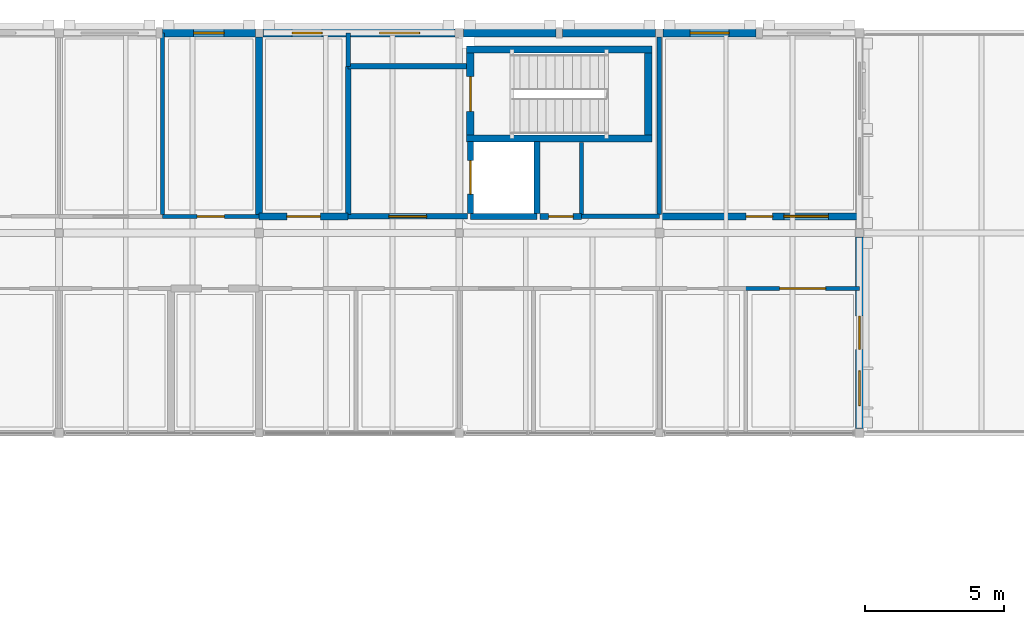
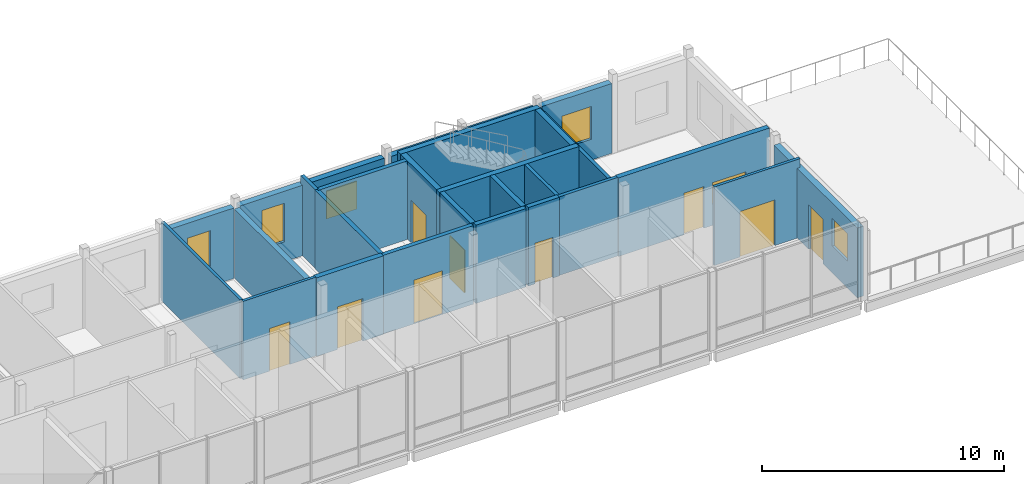
# One storey, part 41 of 57: 27 walls, 9 doors, 6 windows, 15 openings.
"""IFC4 building model written with IfcOpenShell, lengths in metres."""

from ifc_helpers import new_model, si_unit, direction, frame, frame_2d, origin, place, context, subcontext, project, spatial, rectangle, extrude, material, layer, layer_set, type_object, element, fill, save


model = new_model("IFC4")

# Units and contexts
model_context = context("Model", 3, precision=1e-05, world=origin(), true_north=direction((0.0, 1.0)))
body_context = subcontext(model_context, "Body", "Model", "MODEL_VIEW")
ifc_project = project(units=[si_unit("LENGTHUNIT", "METRE"), si_unit("AREAUNIT", "SQUARE_METRE"), si_unit("VOLUMEUNIT", "CUBIC_METRE"), si_unit("PLANEANGLEUNIT", "RADIAN"), si_unit("MASSUNIT", "GRAM", prefix="KILO")], contexts=[model_context])

# Site, building, storey
site_placement = place(None, origin())
site = spatial("IfcSite", under=ifc_project, at=site_placement, CompositionType="ELEMENT")
building_placement = place(site_placement, origin())
building = spatial("IfcBuilding", under=site, at=building_placement, Name="Hawrajan Terrace Health Centre", CompositionType="ELEMENT")
storey_placement = place(building_placement, frame((0.0, 0.0, 13.199951171875)))
storey = spatial("IfcBuildingStorey", under=building, at=storey_placement, Name="L03", CompositionType="ELEMENT", Elevation=13.199951171875)

# Wall
ifc_material_1 = material(Name="Gypsum board on acoustic stud framing")
ifc_layer_1 = layer(ifc_material_1, 0.139892578125)
ifc_layer_set_1 = layer_set([ifc_layer_1], Name="Gypsum board on acoustic stud framing")
wall_type_1 = type_object("IfcWallType", Name="ClinicalAcousticWall_140", PredefinedType="PARTITIONING", material=ifc_layer_set_1)
wall_1_placement = place(storey_placement, frame((37.1220703125, 53.27001953125, 0.0), z_axis=(0.0, 0.0, 1.0), x_axis=(0.0, 1.0, 0.0)))
element("IfcWall", 1, at=wall_1_placement, inside=storey, type_object=wall_type_1, Name="Interior wall IW-L03-1323", PredefinedType="PARTITIONING", context=body_context, shape_type="SweptSolid", body=[
    extrude(rectangle(XDim=6.530029296875, YDim=0.139892578125, at=frame_2d((3.26513671875, 0.0))), origin(), (0.0, 0.0, 1.0), 3.9599609375),
])

# Wall, opening, door
wall_2_placement = place(storey_placement, frame((37.1220703125, 53.199951171875, 0.0), z_axis=(0.0, 0.0, 1.0), x_axis=(1.0, 0.0, 0.0)))
wall_2 = element("IfcWall", 2, at=wall_2_placement, inside=storey, type_object=wall_type_1, Name="Interior wall IW-L03-1324", PredefinedType="PARTITIONING", context=body_context, shape_type="SweptSolid", body=[
    extrude(rectangle(XDim=3.47802734375, YDim=0.139892578125, at=frame_2d((1.739013671875, 0.0))), origin(), (0.0, 0.0, 1.0), 3.9599609375),
])
opening_1_placement = place(wall_2_placement, frame((1.2490234375, 0.0, 0.0)))
opening_1 = element("IfcOpeningElement", 3, at=opening_1_placement, cuts=wall_2, Name="Opening D-L03-606", PredefinedType="OPENING", context=body_context, shape_type="SweptSolid", body=[
    extrude(rectangle(XDim=0.97998046875, YDim=2.14990234375, at=frame_2d((0.489990234375, 1.074951171875))), frame((0.0, 0.079833984375, 0.0), z_axis=(0.0, -1.0, 0.0), x_axis=(1.0, 0.0, 0.0)), (0.0, 0.0, 1.0), 0.159912109375),
])
ifc_material_2 = material(Name="Hardwood acoustic clinical door leaf and frame", Category="wood")
door_type_1 = type_object("IfcDoorType", Name="ConsultDoor_980x2150", OperationType="NOTDEFINED", PredefinedType="DOOR", material=ifc_material_2)
door_1_placement = place(opening_1_placement, origin())
door_1 = element("IfcDoor", 4, at=door_1_placement, inside=storey, type_object=door_type_1, Name="Interior door D-L03-606", OperationType="SINGLE_SWING_RIGHT", OverallHeight=2.14990234375, OverallWidth=0.97998046875, PredefinedType="DOOR", context=body_context, shape_type="SweptSolid", body=[
    extrude(rectangle(XDim=0.97998046875, YDim=2.14990234375, at=frame_2d((0.489990234375, 1.074951171875))), frame((0.0, 0.02490234375, 0.0), z_axis=(0.0, -1.0, 0.0), x_axis=(1.0, 0.0, 0.0)), (0.0, 0.0, 1.0), 0.050048828125),
])
fill(opening_1, door_1)

wall_3_placement = place(storey_placement, frame((58.110107421875, 50.60009765625, 0.0), z_axis=(0.0, 0.0, 1.0), x_axis=(1.0, 0.0, 0.0)))
wall_3 = element("IfcWall", 5, at=wall_3_placement, inside=storey, type_object=wall_type_1, Name="Interior wall IW-L03-1353", PredefinedType="PARTITIONING", context=body_context, shape_type="SweptSolid", body=[
    extrude(rectangle(XDim=4.08984375, YDim=0.139892578125, at=frame_2d((2.044921875, 0.0))), origin(), (0.0, 0.0, 1.0), 3.9599609375),
])
opening_2_placement = place(wall_3_placement, frame((1.215087890625, 0.0, 0.0)))
opening_2 = element("IfcOpeningElement", 6, at=opening_2_placement, cuts=wall_3, Name="Opening D-L03-613", PredefinedType="OPENING", context=body_context, shape_type="SweptSolid", body=[
    extrude(rectangle(XDim=1.659912109375, YDim=2.300048828125, at=frame_2d((0.830078125, 1.14990234375))), frame((0.0, 0.079833984375, 0.0), z_axis=(0.0, -1.0, 0.0), x_axis=(1.0, 0.0, 0.0)), (0.0, 0.0, 1.0), 0.159912109375),
])
door_type_2 = type_object("IfcDoorType", Name="RehabGymDoor_1660x2300", OperationType="DOUBLE_DOOR_SINGLE_SWING", PredefinedType="DOOR", material=ifc_material_2)
door_2_placement = place(opening_2_placement, origin())
door_2 = element("IfcDoor", 7, at=door_2_placement, inside=storey, type_object=door_type_2, Name="Interior door D-L03-613", OperationType="DOUBLE_DOOR_SINGLE_SWING", OverallHeight=2.300048828125, OverallWidth=1.659912109375, PredefinedType="DOOR", context=body_context, shape_type="SweptSolid", body=[
    extrude(rectangle(XDim=1.659912109375, YDim=2.300048828125, at=frame_2d((0.830078125, 1.14990234375))), frame((0.0, 0.02490234375, 0.0), z_axis=(0.0, -1.0, 0.0), x_axis=(1.0, 0.0, 0.0)), (0.0, 0.0, 1.0), 0.050048828125),
])
fill(opening_2, door_2)

# Walls
ifc_material_3 = material(Name="Concrete C40/50", Category="concrete")
ifc_layer_2 = layer(ifc_material_3, 0.260009765625)
ifc_layer_set_2 = layer_set([ifc_layer_2], Name="Concrete C40/50")
wall_type_2 = type_object("IfcWallType", Name="CoreShearWall_RC260", PredefinedType="SHEAR", material=ifc_layer_set_2)
for number, where, z_axis, x_axis, name in (
    (8, (48.070068359375, 56.0, 0.0), (0.0, 0.0, 1.0), (1.0, 0.0, 0.0), "Core shear wall SW-C2-L03-S"),
    (9, (48.070068359375, 59.199951171875, 0.0), (0.0, 0.0, 1.0), (1.0, 0.0, 0.0), "Core shear wall SW-C2-L03-N"),
):
    element("IfcWall", number, at=place(storey_placement, frame(where, z_axis=z_axis, x_axis=x_axis)), inside=storey, type_object=wall_type_2, Name=name, PredefinedType="SHEAR", context=body_context, shape_type="SweptSolid", body=[
        extrude(rectangle(XDim=6.659912109375, YDim=0.260009765625, at=frame_2d((3.330078125, 0.0))), origin(), (0.0, 0.0, 1.0), 3.949951171875),
    ])

# Wall, opening, door
wall_4_placement = place(storey_placement, frame((48.199951171875, 56.1298828125, 0.0), z_axis=(0.0, 0.0, 1.0), x_axis=(0.0, 1.0, 0.0)))
wall_4 = element("IfcWall", 10, at=wall_4_placement, inside=storey, type_object=wall_type_2, Name="Core shear wall SW-C2-L03-W", PredefinedType="SHEAR", context=body_context, shape_type="SweptSolid", body=[
    extrude(rectangle(XDim=2.940185546875, YDim=0.260009765625, at=frame_2d((1.47021484375, 0.0))), origin(), (0.0, 0.0, 1.0), 3.949951171875),
])
opening_3_placement = place(wall_4_placement, frame((0.844970703125, 0.0, 0.0)))
opening_3 = element("IfcOpeningElement", 11, at=opening_3_placement, cuts=wall_4, Name="Opening D-L03-566", PredefinedType="OPENING", context=body_context, shape_type="SweptSolid", body=[
    extrude(rectangle(XDim=1.25, YDim=2.14990234375, at=frame_2d((0.625, 1.074951171875))), frame((0.0, 0.139892578125, 0.0), z_axis=(0.0, -1.0, 0.0), x_axis=(1.0, 0.0, 0.0)), (0.0, 0.0, 1.0), 0.280029296875),
])
ifc_material_4 = material(Name="Timber-veneered acoustic fire-resisting door assembly", Category="wood")
door_type_3 = type_object("IfcDoorType", Name="CoreStairDoor_1250x2150", OperationType="NOTDEFINED", PredefinedType="DOOR", material=ifc_material_4)
door_3_placement = place(opening_3_placement, origin())
door_3 = element("IfcDoor", 12, at=door_3_placement, inside=storey, type_object=door_type_3, Name="Interior door D-L03-566", OperationType="SINGLE_SWING_RIGHT", OverallHeight=2.14990234375, OverallWidth=1.25, PredefinedType="DOOR", context=body_context, shape_type="SweptSolid", body=[
    extrude(rectangle(XDim=1.25, YDim=2.14990234375, at=frame_2d((0.625, 1.074951171875))), frame((0.0, 0.02490234375, 0.0), z_axis=(0.0, -1.0, 0.0), x_axis=(1.0, 0.0, 0.0)), (0.0, 0.0, 1.0), 0.050048828125),
])
fill(opening_3, door_3)

# Walls
wall_5_placement = place(storey_placement, frame((54.60009765625, 56.1298828125, 0.0), z_axis=(0.0, 0.0, 1.0), x_axis=(0.0, 1.0, 0.0)))
element("IfcWall", 13, at=wall_5_placement, inside=storey, type_object=wall_type_2, Name="Core shear wall SW-C2-L03-E", PredefinedType="SHEAR", context=body_context, shape_type="SweptSolid", body=[
    extrude(rectangle(XDim=2.940185546875, YDim=0.260009765625, at=frame_2d((1.47021484375, 0.0))), origin(), (0.0, 0.0, 1.0), 3.949951171875),
])
ifc_layer_3 = layer(ifc_material_1, 0.159912109375)
ifc_layer_set_3 = layer_set([ifc_layer_3], Name="Gypsum board on acoustic stud framing")
wall_type_3 = type_object("IfcWallType", Name="CorridorFireWall_160", PredefinedType="PARTITIONING", material=ifc_layer_set_3)
wall_6_placement = place(storey_placement, frame((52.199951171875, 53.27001953125, 0.0), z_axis=(0.0, 0.0, 1.0), x_axis=(0.0, 1.0, 0.0)))
element("IfcWall", 14, at=wall_6_placement, inside=storey, type_object=wall_type_3, Name="Interior wall IW-L03-1392", PredefinedType="PARTITIONING", context=body_context, shape_type="SweptSolid", body=[
    extrude(rectangle(XDim=2.590087890625, YDim=0.159912109375, at=frame_2d((1.294921875, 0.0))), origin(), (0.0, 0.0, 1.0), 3.9599609375),
])
wall_7_placement = place(storey_placement, frame((55.0, 53.199951171875, 0.0), z_axis=(0.0, 0.0, 1.0), x_axis=(-1.0, 0.0, 0.0)))
element("IfcWall", 15, at=wall_7_placement, inside=storey, type_object=wall_type_3, Name="Interior wall IW-L03-1400", PredefinedType="PARTITIONING", context=body_context, shape_type="SweptSolid", body=[
    extrude(rectangle(XDim=2.800048828125, YDim=0.159912109375, at=frame_2d((1.39990234375, 0.0))), origin(), (0.0, 0.0, 1.0), 3.9599609375),
])
wall_8_placement = place(storey_placement, frame((43.800048828125, 58.60009765625, 0.0), z_axis=(0.0, 0.0, 1.0), x_axis=(0.0, 1.0, 0.0)))
element("IfcWall", 16, at=wall_8_placement, inside=storey, type_object=wall_type_3, Name="Interior wall IW-L03-1412", PredefinedType="PARTITIONING", context=body_context, shape_type="SweptSolid", body=[
    extrude(rectangle(XDim=1.199951171875, YDim=0.159912109375, at=frame_2d((0.60009765625, 0.0))), origin(), (0.0, 0.0, 1.0), 3.9599609375),
])
wall_9_placement = place(storey_placement, frame((55.0, 53.27001953125, 0.0), z_axis=(0.0, 0.0, 1.0), x_axis=(0.0, 1.0, 0.0)))
element("IfcWall", 17, at=wall_9_placement, inside=storey, type_object=wall_type_3, Name="Interior wall IW-L03-1413", PredefinedType="PARTITIONING", context=body_context, shape_type="SweptSolid", body=[
    extrude(rectangle(XDim=6.389892578125, YDim=0.159912109375, at=frame_2d((3.19482421875, 0.0))), origin(), (0.0, 0.0, 1.0), 3.52001953125),
])
ifc_material_5 = material(Name="Cross-laminated timber CLT C24", Category="wood")
ifc_layer_4 = layer(ifc_material_5, 0.199951171875)
ifc_layer_set_4 = layer_set([ifc_layer_4], Name="Cross-laminated timber CLT C24")
wall_type_4 = type_object("IfcWallType", Name="FireCompartmentWall_200", PredefinedType="PARTITIONING", material=ifc_layer_set_4)
wall_10_placement = place(storey_placement, frame((43.800048828125, 53.27001953125, 0.0), z_axis=(0.0, 0.0, 1.0), x_axis=(0.0, 1.0, 0.0)))
element("IfcWall", 18, at=wall_10_placement, inside=storey, type_object=wall_type_4, Name="Interior wall IW-L03-1331", PredefinedType="PARTITIONING", context=body_context, shape_type="SweptSolid", body=[
    extrude(rectangle(XDim=5.330078125, YDim=0.199951171875, at=frame_2d((2.6650390625, 0.0))), origin(), (0.0, 0.0, 1.0), 3.9599609375),
])

# Wall, opening, door
wall_11_placement = place(storey_placement, frame((43.800048828125, 53.199951171875, 0.0), z_axis=(0.0, 0.0, 1.0), x_axis=(1.0, 0.0, 0.0)))
wall_11 = element("IfcWall", 19, at=wall_11_placement, inside=storey, type_object=wall_type_4, Name="Interior wall IW-L03-1332", PredefinedType="PARTITIONING", context=body_context, shape_type="SweptSolid", body=[
    extrude(rectangle(XDim=4.2900390625, YDim=0.199951171875, at=frame_2d((2.14501953125, 0.0))), origin(), (0.0, 0.0, 1.0), 3.9599609375),
])
opening_4_placement = place(wall_11_placement, frame((1.465087890625, 0.0, 0.0)))
opening_4 = element("IfcOpeningElement", 20, at=opening_4_placement, cuts=wall_11, Name="Opening D-L03-570", PredefinedType="OPENING", context=body_context, shape_type="SweptSolid", body=[
    extrude(rectangle(XDim=1.360107421875, YDim=2.199951171875, at=frame_2d((0.68017578125, 1.10009765625))), frame((0.0, 0.10986328125, 0.0), z_axis=(0.0, -1.0, 0.0), x_axis=(1.0, 0.0, 0.0)), (0.0, 0.0, 1.0), 0.219970703125),
])
door_type_4 = type_object("IfcDoorType", Name="FFLobbyDoor_1360x2200", OperationType="NOTDEFINED", PredefinedType="DOOR", material=ifc_material_4)
door_4_placement = place(opening_4_placement, origin())
door_4 = element("IfcDoor", 21, at=door_4_placement, inside=storey, type_object=door_type_4, Name="Interior door D-L03-570", OperationType="SINGLE_SWING_RIGHT", OverallHeight=2.199951171875, OverallWidth=1.360107421875, PredefinedType="DOOR", context=body_context, shape_type="SweptSolid", body=[
    extrude(rectangle(XDim=1.360107421875, YDim=2.199951171875, at=frame_2d((0.68017578125, 1.10009765625))), frame((0.0, 0.02490234375, 0.0), z_axis=(0.0, -1.0, 0.0), x_axis=(1.0, 0.0, 0.0)), (0.0, 0.0, 1.0), 0.050048828125),
])
fill(opening_4, door_4)

# Wall
wall_12_placement = place(storey_placement, frame((48.06005859375, 58.60009765625, 0.0), z_axis=(0.0, 0.0, 1.0), x_axis=(-1.0, 0.0, 0.0)))
element("IfcWall", 22, at=wall_12_placement, inside=storey, type_object=wall_type_4, Name="Interior wall IW-L03-1395", PredefinedType="PARTITIONING", context=body_context, shape_type="SweptSolid", body=[
    extrude(rectangle(XDim=4.260009765625, YDim=0.199951171875, at=frame_2d((2.1298828125, 0.0))), origin(), (0.0, 0.0, 1.0), 3.9599609375),
])

# Wall, opening, window
ifc_layer_5 = layer(ifc_material_5, 0.2900390625)
ifc_layer_set_5 = layer_set([ifc_layer_5], Name="Cross-laminated timber CLT C24")
wall_type_5 = type_object("IfcWallType", Name="InsulatedTimberFacade_290", PredefinedType="SOLIDWALL", material=ifc_layer_set_5)
wall_13_placement = place(storey_placement, frame((37.1201171875, 59.800048828125, 0.0), z_axis=(0.0, 0.0, 1.0), x_axis=(1.0, 0.0, 0.0)))
wall_13 = element("IfcWall", 23, at=wall_13_placement, inside=storey, type_object=wall_type_5, Name="Exterior wall EW-L03-H04-07-2", PredefinedType="SOLIDWALL", context=body_context, shape_type="SweptSolid", body=[
    extrude(rectangle(XDim=3.33984375, YDim=0.2900390625, at=frame_2d((1.669921875, 0.0))), origin(), (0.0, 0.0, 1.0), 3.550048828125),
])
opening_5_placement = place(wall_13_placement, frame((1.1201171875, 0.0, 1.0)))
opening_5 = element("IfcOpeningElement", 24, at=opening_5_placement, cuts=wall_13, Name="Opening W-L03-189", PredefinedType="OPENING", context=body_context, shape_type="SweptSolid", body=[
    extrude(rectangle(XDim=1.10009765625, YDim=1.800048828125, at=frame_2d((0.550048828125, 0.89990234375))), frame((0.0, 0.155029296875, 0.0), z_axis=(0.0, -1.0, 0.0), x_axis=(1.0, 0.0, 0.0)), (0.0, 0.0, 1.0), 0.31005859375),
])
ifc_material_6 = material(Name="Anodized bronze frame with double low-E glazing", Category="glass")
window_type_1 = type_object("IfcWindowType", Name="FacadeWindow_1100x1800", PartitioningType="SINGLE_PANEL", PredefinedType="WINDOW", material=ifc_material_6)
window_1_placement = place(opening_5_placement, origin())
window_1 = element("IfcWindow", 25, at=window_1_placement, inside=storey, type_object=window_type_1, Name="Window W-L03-189", OverallHeight=1.800048828125, OverallWidth=1.10009765625, PartitioningType="SINGLE_PANEL", PredefinedType="WINDOW", context=body_context, shape_type="SweptSolid", body=[
    extrude(rectangle(XDim=1.10009765625, YDim=1.800048828125, at=frame_2d((0.550048828125, 0.89990234375))), frame((0.0, 0.030029296875, 0.0), z_axis=(0.0, -1.0, 0.0), x_axis=(1.0, 0.0, 0.0)), (0.0, 0.0, 1.0), 0.06005859375),
])
fill(opening_5, window_1)

# Wall, openings, windows
wall_14_placement = place(storey_placement, frame((40.739990234375, 59.800048828125, 0.0), z_axis=(0.0, 0.0, 1.0), x_axis=(1.0, 0.0, 0.0)))
wall_14 = element("IfcWall", 26, at=wall_14_placement, inside=storey, type_object=wall_type_5, Name="Exterior wall EW-L03-H05-07-1", PredefinedType="SOLIDWALL", context=body_context, shape_type="SweptSolid", body=[
    extrude(rectangle(XDim=6.89990234375, YDim=0.2900390625, at=frame_2d((3.449951171875, 0.0))), origin(), (0.0, 0.0, 1.0), 3.550048828125),
])
opening_6_placement = place(wall_14_placement, frame((1.050048828125, 0.0, 1.0)))
opening_6 = element("IfcOpeningElement", 27, at=opening_6_placement, cuts=wall_14, Name="Opening W-L03-190", PredefinedType="OPENING", context=body_context, shape_type="SweptSolid", body=[
    extrude(rectangle(XDim=1.080078125, YDim=1.949951171875, at=frame_2d((0.5400390625, 0.97509765625))), frame((0.0, 0.155029296875, 0.0), z_axis=(0.0, -1.0, 0.0), x_axis=(1.0, 0.0, 0.0)), (0.0, 0.0, 1.0), 0.31005859375),
])
opening_7_placement = place(wall_14_placement, frame((4.195068359375, 0.0, 1.35009765625)))
opening_7 = element("IfcOpeningElement", 28, at=opening_7_placement, cuts=wall_14, Name="Opening W-L03-191", PredefinedType="OPENING", context=body_context, shape_type="SweptSolid", body=[
    extrude(rectangle(XDim=1.449951171875, YDim=1.39990234375, at=frame_2d((0.72509765625, 0.699951171875))), frame((0.0, 0.155029296875, 0.0), z_axis=(0.0, -1.0, 0.0), x_axis=(1.0, 0.0, 0.0)), (0.0, 0.0, 1.0), 0.31005859375),
])
window_type_2 = type_object("IfcWindowType", Name="FacadeWindow_1080x1950", PartitioningType="SINGLE_PANEL", PredefinedType="WINDOW", material=ifc_material_6)
window_2_placement = place(opening_6_placement, origin())
window_2 = element("IfcWindow", 29, at=window_2_placement, inside=storey, type_object=window_type_2, Name="Window W-L03-190", OverallHeight=1.949951171875, OverallWidth=1.080078125, PartitioningType="SINGLE_PANEL", PredefinedType="WINDOW", context=body_context, shape_type="SweptSolid", body=[
    extrude(rectangle(XDim=1.080078125, YDim=1.949951171875, at=frame_2d((0.5400390625, 0.97509765625))), frame((0.0, 0.030029296875, 0.0), z_axis=(0.0, -1.0, 0.0), x_axis=(1.0, 0.0, 0.0)), (0.0, 0.0, 1.0), 0.06005859375),
])
fill(opening_6, window_2)
window_type_3 = type_object("IfcWindowType", Name="FacadeWindow_1450x1400", PartitioningType="SINGLE_PANEL", PredefinedType="WINDOW", material=ifc_material_6)
window_3_placement = place(opening_7_placement, origin())
window_3 = element("IfcWindow", 30, at=window_3_placement, inside=storey, type_object=window_type_3, Name="Window W-L03-191", OverallHeight=1.39990234375, OverallWidth=1.449951171875, PartitioningType="SINGLE_PANEL", PredefinedType="WINDOW", context=body_context, shape_type="SweptSolid", body=[
    extrude(rectangle(XDim=1.449951171875, YDim=1.39990234375, at=frame_2d((0.72509765625, 0.699951171875))), frame((0.0, 0.030029296875, 0.0), z_axis=(0.0, -1.0, 0.0), x_axis=(1.0, 0.0, 0.0)), (0.0, 0.0, 1.0), 0.06005859375),
])
fill(opening_7, window_3)

# Walls
wall_15_placement = place(storey_placement, frame((47.9599609375, 59.800048828125, 0.0), z_axis=(0.0, 0.0, 1.0), x_axis=(1.0, 0.0, 0.0)))
element("IfcWall", 31, at=wall_15_placement, inside=storey, type_object=wall_type_5, Name="Exterior wall EW-L03-H06-07-1", PredefinedType="SOLIDWALL", context=body_context, shape_type="SweptSolid", body=[
    extrude(rectangle(XDim=3.320068359375, YDim=0.2900390625, at=frame_2d((1.66015625, 0.0))), origin(), (0.0, 0.0, 1.0), 3.52001953125),
])
wall_16_placement = place(storey_placement, frame((51.52001953125, 59.800048828125, 0.0), z_axis=(0.0, 0.0, 1.0), x_axis=(1.0, 0.0, 0.0)))
element("IfcWall", 32, at=wall_16_placement, inside=storey, type_object=wall_type_5, Name="Exterior wall EW-L03-H06-07-2", PredefinedType="SOLIDWALL", context=body_context, shape_type="SweptSolid", body=[
    extrude(rectangle(XDim=3.340087890625, YDim=0.2900390625, at=frame_2d((1.669921875, 0.0))), origin(), (0.0, 0.0, 1.0), 3.52001953125),
])

# Wall, openings, window, door
wall_17_placement = place(storey_placement, frame((62.199951171875, 45.56005859375, 0.0), z_axis=(0.0, 0.0, 1.0), x_axis=(0.0, 1.0, 0.0)))
wall_17 = element("IfcWall", 33, at=wall_17_placement, inside=storey, type_object=wall_type_5, Name="Exterior wall EW-L03-V08-05-1", PredefinedType="SOLIDWALL", context=body_context, shape_type="SweptSolid", body=[
    extrude(rectangle(XDim=6.89990234375, YDim=0.2900390625, at=frame_2d((3.449951171875, 0.0))), origin(), (0.0, 0.0, 1.0), 3.52001953125),
])
opening_8_placement = place(wall_17_placement, frame((2.85009765625, 0.0, 0.0)))
opening_8 = element("IfcOpeningElement", 34, at=opening_8_placement, cuts=wall_17, Name="Opening D-L03-E023", PredefinedType="OPENING", context=body_context, shape_type="SweptSolid", body=[
    extrude(rectangle(XDim=1.199951171875, YDim=2.25, at=frame_2d((0.60009765625, 1.125))), frame((0.0, 0.155029296875, 0.0), z_axis=(0.0, -1.0, 0.0), x_axis=(1.0, 0.0, 0.0)), (0.0, 0.0, 1.0), 0.31005859375),
])
opening_9_placement = place(wall_17_placement, frame((0.830078125, 0.0, 1.35009765625)))
opening_9 = element("IfcOpeningElement", 35, at=opening_9_placement, cuts=wall_17, Name="Opening W-L03-197", PredefinedType="OPENING", context=body_context, shape_type="SweptSolid", body=[
    extrude(rectangle(XDim=1.25, YDim=1.39990234375, at=frame_2d((0.625, 0.699951171875))), frame((0.0, 0.155029296875, 0.0), z_axis=(0.0, -1.0, 0.0), x_axis=(1.0, 0.0, 0.0)), (0.0, 0.0, 1.0), 0.31005859375),
])
window_type_4 = type_object("IfcWindowType", Name="FacadeWindow_1250x1400", PartitioningType="SINGLE_PANEL", PredefinedType="WINDOW", material=ifc_material_6)
window_4_placement = place(opening_9_placement, origin())
window_4 = element("IfcWindow", 36, at=window_4_placement, inside=storey, type_object=window_type_4, Name="Window W-L03-197", OverallHeight=1.39990234375, OverallWidth=1.25, PartitioningType="SINGLE_PANEL", PredefinedType="WINDOW", context=body_context, shape_type="SweptSolid", body=[
    extrude(rectangle(XDim=1.25, YDim=1.39990234375, at=frame_2d((0.625, 0.699951171875))), frame((0.0, 0.030029296875, 0.0), z_axis=(0.0, -1.0, 0.0), x_axis=(1.0, 0.0, 0.0)), (0.0, 0.0, 1.0), 0.06005859375),
])
fill(opening_9, window_4)
ifc_material_7 = material(Name="Anodized bronze thermally broken fire-rated glazed door")
door_type_5 = type_object("IfcDoorType", Name="TerraceAccessDoor_1200x2250", OperationType="NOTDEFINED", PredefinedType="DOOR", material=ifc_material_7)
door_5_placement = place(opening_8_placement, frame((1.199951171875, 0.0, 0.0), z_axis=(0.0, 0.0, 1.0), x_axis=(-1.0, 0.0, 0.0)))
door_5 = element("IfcDoor", 37, at=door_5_placement, inside=storey, type_object=door_type_5, Name="Consulting East Terrace Door D-L03-E023", OperationType="SINGLE_SWING_LEFT", OverallHeight=2.25, OverallWidth=1.199951171875, PredefinedType="DOOR", context=body_context, shape_type="SweptSolid", body=[
    extrude(rectangle(XDim=1.199951171875, YDim=2.25, at=frame_2d((0.60009765625, 1.125))), frame((0.0, 0.02490234375, 0.0), z_axis=(0.0, -1.0, 0.0), x_axis=(1.0, 0.0, 0.0)), (0.0, 0.0, 1.0), 0.050048828125),
])
fill(opening_8, door_5)

# Wall, opening, window
wall_18_placement = place(storey_placement, frame((55.139892578125, 59.800048828125, 0.0), z_axis=(0.0, 0.0, 1.0), x_axis=(1.0, 0.0, 0.0)))
wall_18 = element("IfcWall", 38, at=wall_18_placement, inside=storey, type_object=wall_type_5, Name="Exterior wall EW-L03-H07-07-1", PredefinedType="SOLIDWALL", context=body_context, shape_type="SweptSolid", body=[
    extrude(rectangle(XDim=3.340087890625, YDim=0.2900390625, at=frame_2d((1.669921875, 0.0))), origin(), (0.0, 0.0, 1.0), 3.52001953125),
])
opening_10_placement = place(wall_18_placement, frame((0.969970703125, 0.0, 1.050048828125)))
opening_10 = element("IfcOpeningElement", 39, at=opening_10_placement, cuts=wall_18, Name="Opening W-L03-198", PredefinedType="OPENING", context=body_context, shape_type="SweptSolid", body=[
    extrude(rectangle(XDim=1.39990234375, YDim=1.64990234375, at=frame_2d((0.699951171875, 0.824951171875))), frame((0.0, 0.155029296875, 0.0), z_axis=(0.0, -1.0, 0.0), x_axis=(1.0, 0.0, 0.0)), (0.0, 0.0, 1.0), 0.31005859375),
])
window_type_5 = type_object("IfcWindowType", Name="FacadeWindow_1400x1650", PartitioningType="SINGLE_PANEL", PredefinedType="WINDOW", material=ifc_material_6)
window_5_placement = place(opening_10_placement, origin())
window_5 = element("IfcWindow", 40, at=window_5_placement, inside=storey, type_object=window_type_5, Name="Window W-L03-198", OverallHeight=1.64990234375, OverallWidth=1.39990234375, PartitioningType="SINGLE_PANEL", PredefinedType="WINDOW", context=body_context, shape_type="SweptSolid", body=[
    extrude(rectangle(XDim=1.39990234375, YDim=1.64990234375, at=frame_2d((0.699951171875, 0.824951171875))), frame((0.0, 0.030029296875, 0.0), z_axis=(0.0, -1.0, 0.0), x_axis=(1.0, 0.0, 0.0)), (0.0, 0.0, 1.0), 0.06005859375),
])
fill(opening_10, window_5)

# Wall
ifc_layer_6 = layer(ifc_material_3, 0.25)
ifc_layer_set_6 = layer_set([ifc_layer_6], Name="Concrete C40/50")
wall_type_6 = type_object("IfcWallType", Name="RadiationShieldWall_RC250", PredefinedType="SOLIDWALL", material=ifc_layer_set_6)
wall_19_placement = place(storey_placement, frame((40.60009765625, 53.27001953125, 0.0), z_axis=(0.0, 0.0, 1.0), x_axis=(0.0, 1.0, 0.0)))
element("IfcWall", 41, at=wall_19_placement, inside=storey, type_object=wall_type_6, Name="Interior wall IW-L03-1329", PredefinedType="SOLIDWALL", context=body_context, shape_type="SweptSolid", body=[
    extrude(rectangle(XDim=6.389892578125, YDim=0.25, at=frame_2d((3.19482421875, 0.0))), origin(), (0.0, 0.0, 1.0), 3.489990234375),
])

# Wall, opening, door
wall_20_placement = place(storey_placement, frame((40.60009765625, 53.199951171875, 0.0), z_axis=(0.0, 0.0, 1.0), x_axis=(1.0, 0.0, 0.0)))
wall_20 = element("IfcWall", 42, at=wall_20_placement, inside=storey, type_object=wall_type_6, Name="Interior wall IW-L03-1330", PredefinedType="SOLIDWALL", context=body_context, shape_type="SweptSolid", body=[
    extrude(rectangle(XDim=3.199951171875, YDim=0.25, at=frame_2d((1.60009765625, 0.0))), origin(), (0.0, 0.0, 1.0), 3.9599609375),
])
opening_11_placement = place(wall_20_placement, frame((1.0, 0.0, 0.0)))
opening_11 = element("IfcOpeningElement", 43, at=opening_11_placement, cuts=wall_20, Name="Opening D-L03-609", PredefinedType="OPENING", context=body_context, shape_type="SweptSolid", body=[
    extrude(rectangle(XDim=1.199951171875, YDim=2.14990234375, at=frame_2d((0.60009765625, 1.074951171875))), frame((0.0, 0.135009765625, 0.0), z_axis=(0.0, -1.0, 0.0), x_axis=(1.0, 0.0, 0.0)), (0.0, 0.0, 1.0), 0.27001953125),
])
door_type_6 = type_object("IfcDoorType", Name="PharmacyFireDoor_1200x2150", OperationType="NOTDEFINED", PredefinedType="DOOR", material=ifc_material_4)
door_6_placement = place(opening_11_placement, origin())
door_6 = element("IfcDoor", 44, at=door_6_placement, inside=storey, type_object=door_type_6, Name="Interior door D-L03-609", OperationType="SINGLE_SWING_LEFT", OverallHeight=2.14990234375, OverallWidth=1.199951171875, PredefinedType="DOOR", context=body_context, shape_type="SweptSolid", body=[
    extrude(rectangle(XDim=1.199951171875, YDim=2.14990234375, at=frame_2d((0.60009765625, 1.074951171875))), frame((0.0, 0.02490234375, 0.0), z_axis=(0.0, -1.0, 0.0), x_axis=(1.0, 0.0, 0.0)), (0.0, 0.0, 1.0), 0.050048828125),
])
fill(opening_11, door_6)

# Wall, openings, door, window
wall_21_placement = place(storey_placement, frame((55.0, 53.199951171875, 0.0), z_axis=(0.0, 0.0, 1.0), x_axis=(1.0, 0.0, 0.0)))
wall_21 = element("IfcWall", 45, at=wall_21_placement, inside=storey, type_object=wall_type_6, Name="Interior wall IW-L03-1348", PredefinedType="SOLIDWALL", context=body_context, shape_type="SweptSolid", body=[
    extrude(rectangle(XDim=7.199951171875, YDim=0.25, at=frame_2d((3.60009765625, 0.0))), origin(), (0.0, 0.0, 1.0), 3.9599609375),
])
opening_12_placement = place(wall_21_placement, frame((3.1201171875, 0.0, 0.0)))
opening_12 = element("IfcOpeningElement", 46, at=opening_12_placement, cuts=wall_21, Name="Opening D-L03-614", PredefinedType="OPENING", context=body_context, shape_type="SweptSolid", body=[
    extrude(rectangle(XDim=0.9599609375, YDim=2.10009765625, at=frame_2d((0.47998046875, 1.050048828125))), frame((0.0, 0.135009765625, 0.0), z_axis=(0.0, -1.0, 0.0), x_axis=(1.0, 0.0, 0.0)), (0.0, 0.0, 1.0), 0.27001953125),
])
opening_13_placement = place(wall_21_placement, frame((4.47998046875, 0.0, 1.050048828125)))
opening_13 = element("IfcOpeningElement", 47, at=opening_13_placement, cuts=wall_21, Name="Opening W-L03-I09", PredefinedType="OPENING", context=body_context, shape_type="SweptSolid", body=[
    extrude(rectangle(XDim=1.60009765625, YDim=1.10009765625, at=frame_2d((0.800048828125, 0.550048828125))), frame((0.0, 0.135009765625, 0.0), z_axis=(0.0, -1.0, 0.0), x_axis=(1.0, 0.0, 0.0)), (0.0, 0.0, 1.0), 0.27001953125),
])
door_type_7 = type_object("IfcDoorType", Name="ClinicalFireDoor_960x2100", OperationType="NOTDEFINED", PredefinedType="DOOR", material=ifc_material_4)
door_7_placement = place(opening_12_placement, origin())
door_7 = element("IfcDoor", 48, at=door_7_placement, inside=storey, type_object=door_type_7, Name="Interior door D-L03-614", OperationType="SINGLE_SWING_RIGHT", OverallHeight=2.10009765625, OverallWidth=0.9599609375, PredefinedType="DOOR", context=body_context, shape_type="SweptSolid", body=[
    extrude(rectangle(XDim=0.9599609375, YDim=2.10009765625, at=frame_2d((0.47998046875, 1.050048828125))), frame((0.0, 0.02490234375, 0.0), z_axis=(0.0, -1.0, 0.0), x_axis=(1.0, 0.0, 0.0)), (0.0, 0.0, 1.0), 0.050048828125),
])
fill(opening_12, door_7)
ifc_material_8 = material(Name="Lead-lined and acoustic internal observation glazing", Category="glass")
window_type_6 = type_object("IfcWindowType", Name="InternalObsWindow_1600x1100", PartitioningType="SINGLE_PANEL", PredefinedType="WINDOW", material=ifc_material_8)
window_6_placement = place(opening_13_placement, origin())
window_6 = element("IfcWindow", 49, at=window_6_placement, inside=storey, type_object=window_type_6, Name="Observation window W-L03-I09", OverallHeight=1.10009765625, OverallWidth=1.60009765625, PartitioningType="SINGLE_PANEL", PredefinedType="WINDOW", context=body_context, shape_type="SweptSolid", body=[
    extrude(rectangle(XDim=1.60009765625, YDim=1.10009765625, at=frame_2d((0.800048828125, 0.550048828125))), frame((0.0, 0.030029296875, 0.0), z_axis=(0.0, -1.0, 0.0), x_axis=(1.0, 0.0, 0.0)), (0.0, 0.0, 1.0), 0.06005859375),
])
fill(opening_13, window_6)

# Wall
ifc_layer_7 = layer(ifc_material_3, 0.219970703125)
ifc_layer_set_7 = layer_set([ifc_layer_7], Name="Concrete C40/50")
wall_type_7 = type_object("IfcWallType", Name="ShaftWall_RC220", PredefinedType="SOLIDWALL", material=ifc_layer_set_7)
wall_22_placement = place(storey_placement, frame((48.199951171875, 53.199951171875, 0.0), z_axis=(0.0, 0.0, 1.0), x_axis=(1.0, 0.0, 0.0)))
element("IfcWall", 50, at=wall_22_placement, inside=storey, type_object=wall_type_7, Name="Lift shaft wall LW-LC-03-L03-S", PredefinedType="SOLIDWALL", context=body_context, shape_type="SweptSolid", body=[
    extrude(rectangle(XDim=2.400146484375, YDim=0.219970703125, at=frame_2d((1.2001953125, 0.0))), origin(), (0.0, 0.0, 1.0), 3.949951171875),
])

# Wall, opening, door
wall_23_placement = place(storey_placement, frame((48.199951171875, 53.31005859375, 0.0), z_axis=(0.0, 0.0, 1.0), x_axis=(0.0, 1.0, 0.0)))
wall_23 = element("IfcWall", 51, at=wall_23_placement, inside=storey, type_object=wall_type_7, Name="Lift shaft wall LW-LC-03-L03-W", PredefinedType="SOLIDWALL", context=body_context, shape_type="SweptSolid", body=[
    extrude(rectangle(XDim=2.579833984375, YDim=0.219970703125, at=frame_2d((1.2900390625, 0.0))), origin(), (0.0, 0.0, 1.0), 3.949951171875),
])
opening_14_placement = place(wall_23_placement, frame((0.68994140625, 0.0, 0.0)))
opening_14 = element("IfcOpeningElement", 52, at=opening_14_placement, cuts=wall_23, Name="Opening LD-L03-LC-03", PredefinedType="OPENING", context=body_context, shape_type="SweptSolid", body=[
    extrude(rectangle(XDim=1.199951171875, YDim=2.14990234375, at=frame_2d((0.60009765625, 1.074951171875))), frame((0.0, 0.119873046875, 0.0), z_axis=(0.0, -1.0, 0.0), x_axis=(1.0, 0.0, 0.0)), (0.0, 0.0, 1.0), 0.239990234375),
])
ifc_material_9 = material(Name="Brushed bronze stainless-steel sliding lift landing door", Category="steel")
door_type_8 = type_object("IfcDoorType", Name="LiftLandingDoor_1200x2150", OperationType="SLIDING_TO_LEFT", PredefinedType="DOOR", material=ifc_material_9)
door_8_placement = place(opening_14_placement, origin())
door_8 = element("IfcDoor", 53, at=door_8_placement, inside=storey, type_object=door_type_8, Name="Lift landing door LD-L03-LC-03", OperationType="SLIDING_TO_LEFT", OverallHeight=2.14990234375, OverallWidth=1.199951171875, PredefinedType="DOOR", context=body_context, shape_type="SweptSolid", body=[
    extrude(rectangle(XDim=1.199951171875, YDim=2.14990234375, at=frame_2d((0.60009765625, 1.074951171875))), frame((0.0, 0.02490234375, 0.0), z_axis=(0.0, -1.0, 0.0), x_axis=(1.0, 0.0, 0.0)), (0.0, 0.0, 1.0), 0.050048828125),
])
fill(opening_14, door_8)

# Wall
wall_24_placement = place(storey_placement, frame((50.60009765625, 53.31005859375, 0.0), z_axis=(0.0, 0.0, 1.0), x_axis=(0.0, 1.0, 0.0)))
element("IfcWall", 54, at=wall_24_placement, inside=storey, type_object=wall_type_7, Name="Lift shaft wall LW-LC-03-L03-E", PredefinedType="SOLIDWALL", context=body_context, shape_type="SweptSolid", body=[
    extrude(rectangle(XDim=2.579833984375, YDim=0.219970703125, at=frame_2d((1.2900390625, 0.0))), origin(), (0.0, 0.0, 1.0), 3.949951171875),
])

# Wall, opening, door
wall_25_placement = place(storey_placement, frame((50.7099609375, 53.199951171875, 0.0), z_axis=(0.0, 0.0, 1.0), x_axis=(1.0, 0.0, 0.0)))
wall_25 = element("IfcWall", 55, at=wall_25_placement, inside=storey, type_object=wall_type_7, Name="Interior wall IW-L03-1341", PredefinedType="SOLIDWALL", context=body_context, shape_type="SweptSolid", body=[
    extrude(rectangle(XDim=1.489990234375, YDim=0.219970703125, at=frame_2d((0.7451171875, 0.0))), origin(), (0.0, 0.0, 1.0), 3.9599609375),
])
opening_15_placement = place(wall_25_placement, frame((0.304931640625, 0.0, 0.0)))
opening_15 = element("IfcOpeningElement", 56, at=opening_15_placement, cuts=wall_25, Name="Opening D-L03-581", PredefinedType="OPENING", context=body_context, shape_type="SweptSolid", body=[
    extrude(rectangle(XDim=0.8798828125, YDim=2.050048828125, at=frame_2d((0.43994140625, 1.02490234375))), frame((0.0, 0.119873046875, 0.0), z_axis=(0.0, -1.0, 0.0), x_axis=(1.0, 0.0, 0.0)), (0.0, 0.0, 1.0), 0.239990234375),
])
door_type_9 = type_object("IfcDoorType", Name="RiserAccessDoor_880x2050", OperationType="NOTDEFINED", PredefinedType="DOOR", material=ifc_material_4)
door_9_placement = place(opening_15_placement, origin())
door_9 = element("IfcDoor", 57, at=door_9_placement, inside=storey, type_object=door_type_9, Name="Service riser access door D-L03-581", OperationType="SINGLE_SWING_LEFT", OverallHeight=2.050048828125, OverallWidth=0.8798828125, PredefinedType="DOOR", context=body_context, shape_type="SweptSolid", body=[
    extrude(rectangle(XDim=0.8798828125, YDim=2.050048828125, at=frame_2d((0.43994140625, 1.02490234375))), frame((0.0, 0.02490234375, 0.0), z_axis=(0.0, -1.0, 0.0), x_axis=(1.0, 0.0, 0.0)), (0.0, 0.0, 1.0), 0.050048828125),
])
fill(opening_15, door_9)

save(model, "model.ifc")
